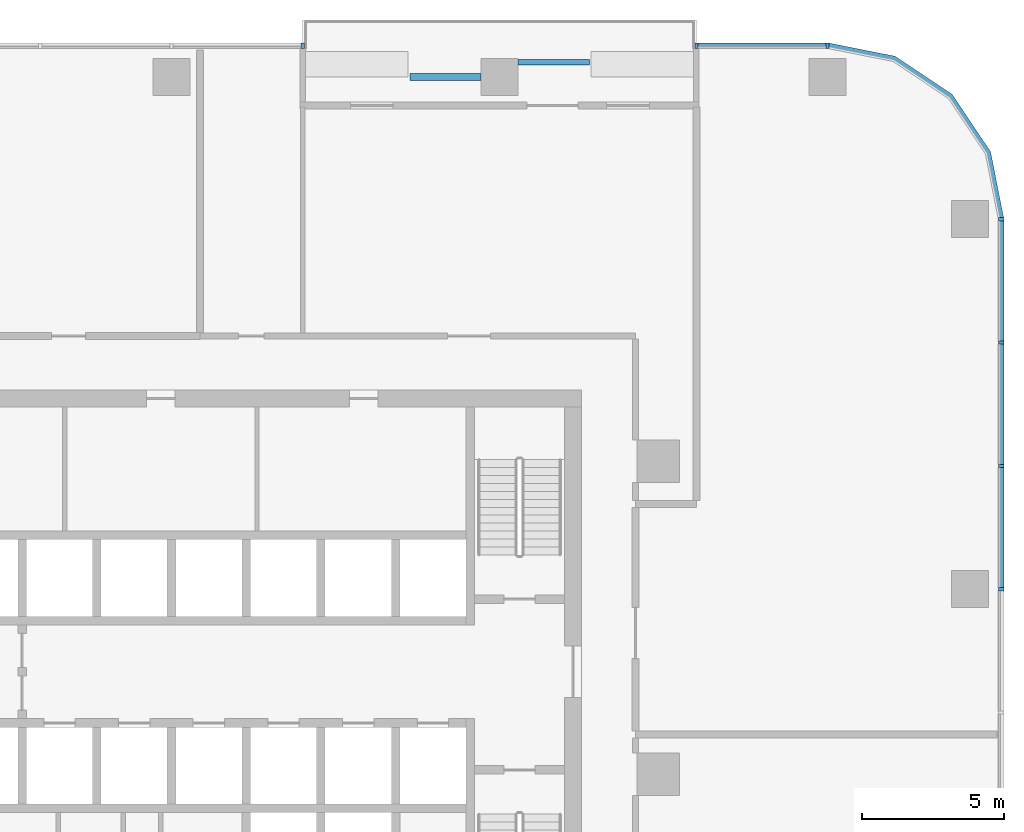
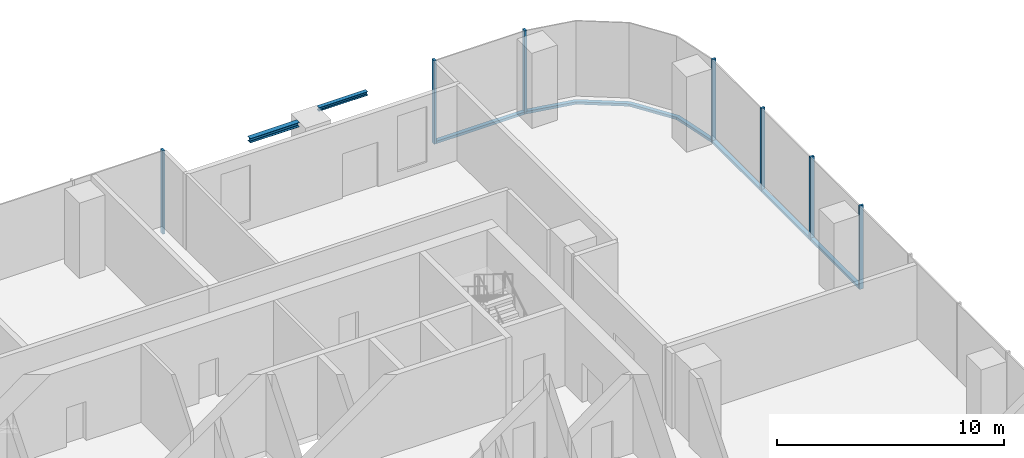
# One storey, part 5 of 15: 12 members, 2 beams, 4 elements without a shape of their own.
"""IFC4 building model written with IfcOpenShell, lengths in metres."""

from ifc_helpers import new_model, si_unit, direction, frame, origin, origin_2d, place, context, subcontext, project, spatial, polyline, rectangle, i_section, outline, extrude, material, material_profile, profile_set, type_object, element, aggregate, save


model = new_model("IFC4")

# Units and contexts
model_context = context("Model", 3, precision=1e-05, world=origin(), true_north=direction((0.0, 1.0)))
body_context = subcontext(model_context, "Body", "Model", "MODEL_VIEW")
ifc_project = project(units=[si_unit("LENGTHUNIT", "METRE"), si_unit("AREAUNIT", "SQUARE_METRE"), si_unit("VOLUMEUNIT", "CUBIC_METRE"), si_unit("PLANEANGLEUNIT", "RADIAN"), si_unit("MASSUNIT", "GRAM", prefix="KILO")], contexts=[model_context])

# Site, building, storey
site_placement = place(None, origin())
site = spatial("IfcSite", under=ifc_project, at=site_placement, CompositionType="ELEMENT")
building_placement = place(site_placement, origin())
building = spatial("IfcBuilding", under=site, at=building_placement, Name="Mopane Tessera Tower", CompositionType="ELEMENT")
storey_placement = place(building_placement, frame((0.0, 0.0, 103.60009765625)))
storey = spatial("IfcBuildingStorey", under=building, at=storey_placement, Name="L20", CompositionType="ELEMENT", Elevation=103.60009765625)

# Curtain wall, members
ifc_material_1 = material(Name="Aluminium frame", Category="aluminium")
curtain_wall_type = type_object("IfcCurtainWallType", Name="Lower tower unitised wall", PredefinedType="NOTDEFINED", material=ifc_material_1)
curtain_wall_1_placement = place(storey_placement, origin())
curtain_wall_1 = element("IfcCurtainWall", 1, at=curtain_wall_1_placement, inside=storey, type_object=curtain_wall_type, Name="e:cw:L20:E:0", PredefinedType="NOTDEFINED")
ifc_material_2 = material(Name="Aluminium frame", Category="aluminium")
ifc_material_profile_1 = material_profile(ifc_material_2, rectangle(XDim=0.110107421875, YDim=0.199951171875, at=origin_2d()))
ifc_profile_set_1 = profile_set([ifc_material_profile_1], Name="Aluminium frame")
member_type_1 = type_object("IfcMemberType", Name="Aluminium mullion 110 x 200", PredefinedType="MULLION", material=ifc_profile_set_1)
member_1_placement = place(storey_placement, frame((29.14990234375, 6.5, -0.4501953125), z_axis=(0.0, 0.0, 1.0), x_axis=(0.0, 1.0, 0.0)))
member_1 = element("IfcMember", 2, at=member_1_placement, type_object=member_type_1, Name="e:cw:L20:E:0:mu6", PredefinedType="MULLION", context=body_context, shape_type="SweptSolid", body=[
    extrude(rectangle(XDim=0.110107421875, YDim=0.199951171875, at=origin_2d()), origin(), (0.0, 0.0, 1.0), 4.5),
])
member_2_placement = place(storey_placement, frame((29.14990234375, 10.833251953125, -0.4501953125), z_axis=(0.0, 0.0, 1.0), x_axis=(0.0, 1.0, 0.0)))
member_2 = element("IfcMember", 3, at=member_2_placement, type_object=member_type_1, Name="e:cw:L20:E:0:mu7", PredefinedType="MULLION", context=body_context, shape_type="SweptSolid", body=[
    extrude(rectangle(XDim=0.110107421875, YDim=0.199951171875, at=origin_2d()), origin(), (0.0, 0.0, 1.0), 4.5),
])
member_3_placement = place(storey_placement, frame((29.14990234375, 15.166748046875, -0.4501953125), z_axis=(0.0, 0.0, 1.0), x_axis=(0.0, 1.0, 0.0)))
member_3 = element("IfcMember", 4, at=member_3_placement, type_object=member_type_1, Name="e:cw:L20:E:0:mu8", PredefinedType="MULLION", context=body_context, shape_type="SweptSolid", body=[
    extrude(rectangle(XDim=0.110107421875, YDim=0.199951171875, at=origin_2d()), origin(), (0.0, 0.0, 1.0), 4.5),
])
member_4_placement = place(storey_placement, frame((29.14990234375, 19.5, -0.4501953125), z_axis=(0.0, 0.0, 1.0), x_axis=(0.0, 1.0, 0.0)))
member_4 = element("IfcMember", 5, at=member_4_placement, type_object=member_type_1, Name="e:cw:L20:E:0:mu9", PredefinedType="MULLION", context=body_context, shape_type="SweptSolid", body=[
    extrude(rectangle(XDim=0.110107421875, YDim=0.199951171875, at=origin_2d()), origin(), (0.0, 0.0, 1.0), 4.5),
])

curtain_wall_2_placement = place(storey_placement, origin())
curtain_wall_2 = element("IfcCurtainWall", 6, at=curtain_wall_2_placement, inside=storey, type_object=curtain_wall_type, Name="e:cw:L20:N:0", PredefinedType="NOTDEFINED")
member_5_placement = place(storey_placement, frame((23.050048828125, 25.60009765625, -0.4501953125), z_axis=(0.0, 0.0, 1.0), x_axis=(-1.0, 0.0, 0.0)))
member_5 = element("IfcMember", 7, at=member_5_placement, type_object=member_type_1, Name="e:cw:L20:N:0:mu0", PredefinedType="MULLION", context=body_context, shape_type="SweptSolid", body=[
    extrude(rectangle(XDim=0.110107421875, YDim=0.199951171875, at=origin_2d()), origin(), (0.0, 0.0, 1.0), 4.5),
])
member_6_placement = place(storey_placement, frame((18.43994140625, 25.60009765625, -0.4501953125), z_axis=(0.0, 0.0, 1.0), x_axis=(-1.0, 0.0, 0.0)))
member_6 = element("IfcMember", 8, at=member_6_placement, type_object=member_type_1, Name="e:cw:L20:N:0:mu1", PredefinedType="MULLION", context=body_context, shape_type="SweptSolid", body=[
    extrude(rectangle(XDim=0.110107421875, YDim=0.199951171875, at=origin_2d()), origin(), (0.0, 0.0, 1.0), 4.5),
])

# Curtain wall, member
curtain_wall_3_placement = place(storey_placement, origin())
curtain_wall_3 = element("IfcCurtainWall", 9, at=curtain_wall_3_placement, inside=storey, type_object=curtain_wall_type, Name="e:cw:L20:N:4", PredefinedType="NOTDEFINED")
member_7_placement = place(storey_placement, frame((4.610107421875, 25.60009765625, -0.4501953125), z_axis=(0.0, 0.0, 1.0), x_axis=(-1.0, 0.0, 0.0)))
member_7 = element("IfcMember", 10, at=member_7_placement, type_object=member_type_1, Name="e:cw:L20:N:4:mu4", PredefinedType="MULLION", context=body_context, shape_type="SweptSolid", body=[
    extrude(rectangle(XDim=0.110107421875, YDim=0.199951171875, at=origin_2d()), origin(), (0.0, 0.0, 1.0), 4.5),
])
aggregate(curtain_wall_3, [member_7])

# Member
ifc_material_3 = material(Name="Aluminium frame", Category="aluminium")
ifc_material_profile_2 = material_profile(ifc_material_3, rectangle(XDim=0.199951171875, YDim=0.139892578125, at=origin_2d()))
ifc_profile_set_2 = profile_set([ifc_material_profile_2], Name="Aluminium frame")
member_type_2 = type_object("IfcMemberType", Name="Aluminium transom 200 x 140", PredefinedType="USERDEFINED", material=ifc_profile_set_2)
member_8_placement = place(storey_placement, frame((29.14990234375, 6.554931640625, -0.380126953125), z_axis=(0.0, 1.0, 0.0), x_axis=(-1.0, 0.0, 0.0)))
member_8 = element("IfcMember", 11, at=member_8_placement, type_object=member_type_2, Name="e:cw:L20:E:0:tr6", ObjectType="TRANSOM", PredefinedType="USERDEFINED", context=body_context, shape_type="SweptSolid", body=[
    extrude(rectangle(XDim=0.199951171875, YDim=0.139892578125, at=origin_2d()), origin(), (0.0, 0.0, 1.0), 4.223388671875),
])

member_9_placement = place(storey_placement, frame((29.14990234375, 10.888427734375, -0.380126953125), z_axis=(0.0, 1.0, 0.0), x_axis=(-1.0, 0.0, 0.0)))
member_9 = element("IfcMember", 12, at=member_9_placement, type_object=member_type_2, Name="e:cw:L20:E:0:tr7", ObjectType="TRANSOM", PredefinedType="USERDEFINED", context=body_context, shape_type="SweptSolid", body=[
    extrude(rectangle(XDim=0.199951171875, YDim=0.139892578125, at=origin_2d()), origin(), (0.0, 0.0, 1.0), 4.22314453125),
])

member_10_placement = place(storey_placement, frame((29.14990234375, 15.2216796875, -0.380126953125), z_axis=(0.0, 1.0, 0.0), x_axis=(-1.0, 0.0, 0.0)))
member_10 = element("IfcMember", 13, at=member_10_placement, type_object=member_type_2, Name="e:cw:L20:E:0:tr8", ObjectType="TRANSOM", PredefinedType="USERDEFINED", context=body_context, shape_type="SweptSolid", body=[
    extrude(rectangle(XDim=0.199951171875, YDim=0.139892578125, at=origin_2d()), origin(), (0.0, 0.0, 1.0), 4.223388671875),
])

aggregate(curtain_wall_1, [member_1, member_2, member_3, member_4, member_8, member_9, member_10])

# Curtain wall, member
curtain_wall_4_placement = place(storey_placement, origin())
curtain_wall_4 = element("IfcCurtainWall", 14, at=curtain_wall_4_placement, inside=storey, type_object=curtain_wall_type, Name="e:cw:L20:CE", PredefinedType="NOTDEFINED")
member_11_placement = place(storey_placement, frame((0.0, 0.0, -0.4501953125)))
member_11 = element("IfcMember", 15, at=member_11_placement, type_object=member_type_2, Name="e:cw:L20:CE:tr", ObjectType="TRANSOM", PredefinedType="USERDEFINED", context=body_context, shape_type="SweptSolid", body=[
    extrude(outline(polyline([(29.050048828125, 19.5), (28.59326171875, 21.796142578125), (27.292724609375, 23.74267578125), (25.34619140625, 25.043212890625), (23.050048828125, 25.5), (23.050048828125, 25.699951171875), (25.422607421875, 25.22802734375), (27.43408203125, 23.884033203125), (28.778076171875, 21.87255859375), (29.25, 19.5), (29.050048828125, 19.5)])), origin(), (0.0, 0.0, 1.0), 0.14013671875),
])
aggregate(curtain_wall_4, [member_11])

# Member
member_12_placement = place(storey_placement, frame((22.9951171875, 25.60009765625, -0.380126953125), z_axis=(-1.0, 0.0, 0.0), x_axis=(0.0, -1.0, 0.0)))
member_12 = element("IfcMember", 16, at=member_12_placement, type_object=member_type_2, Name="e:cw:L20:N:0:tr0", ObjectType="TRANSOM", PredefinedType="USERDEFINED", context=body_context, shape_type="SweptSolid", body=[
    extrude(rectangle(XDim=0.199951171875, YDim=0.139892578125, at=origin_2d()), origin(), (0.0, 0.0, 1.0), 4.5),
])

aggregate(curtain_wall_2, [member_5, member_6, member_12])

# Beams
ifc_material_4 = material(Name="Structural steel S460", Category="steel")
ifc_material_profile_3 = material_profile(ifc_material_4, i_section(OverallWidth=0.239990234375, OverallDepth=0.239990234375, WebThickness=0.010009765625, FlangeThickness=0.01708984375, FilletRadius=0.02099609375, at=origin_2d()))
ifc_profile_set_3 = profile_set([ifc_material_profile_3], Name="Structural steel S460")
beam_type_1 = type_object("IfcBeamType", Name="Terrace spandrel beam HE 240 B", PredefinedType="SPANDREL", material=ifc_profile_set_3)
beam_1_placement = place(storey_placement, frame((10.871826171875, 24.5, 3.929931640625), z_axis=(-1.0, 0.0, 0.0), x_axis=(0.0, -1.0, 0.0)))
element("IfcBeam", 17, at=beam_1_placement, inside=storey, type_object=beam_type_1, Name="Terrace spandrel beam N1 L21", PredefinedType="SPANDREL", context=body_context, shape_type="SweptSolid", body=[
    extrude(i_section(OverallWidth=0.239990234375, OverallDepth=0.239990234375, WebThickness=0.010009765625, FlangeThickness=0.01708984375, FilletRadius=0.02099609375, at=origin_2d()), origin(), (0.0, 0.0, 1.0), 2.5),
])
ifc_material_5 = material(Name="Structural steel S460", Category="steel")
ifc_material_profile_4 = material_profile(ifc_material_5, i_section(OverallWidth=0.199951171875, OverallDepth=0.199951171875, WebThickness=0.009033203125, FlangeThickness=0.014892578125, FilletRadius=0.01806640625, at=origin_2d()))
ifc_profile_set_4 = profile_set([ifc_material_profile_4], Name="Structural steel S460")
beam_type_2 = type_object("IfcBeamType", Name="Terrace trimmer beam HE 200 B", PredefinedType="BEAM", material=ifc_profile_set_4)
beam_2_placement = place(storey_placement, frame((12.177978515625, 25.02001953125, 3.949951171875), z_axis=(1.0, 0.0, 0.0), x_axis=(0.0, 1.0, 0.0)))
element("IfcBeam", 18, at=beam_2_placement, inside=storey, type_object=beam_type_2, Name="Terrace trimmer beam N1 L21", PredefinedType="BEAM", context=body_context, shape_type="SweptSolid", body=[
    extrude(i_section(OverallWidth=0.199951171875, OverallDepth=0.199951171875, WebThickness=0.009033203125, FlangeThickness=0.014892578125, FilletRadius=0.01806640625, at=origin_2d()), origin(), (0.0, 0.0, 1.0), 2.5),
])

save(model, "model.ifc")
